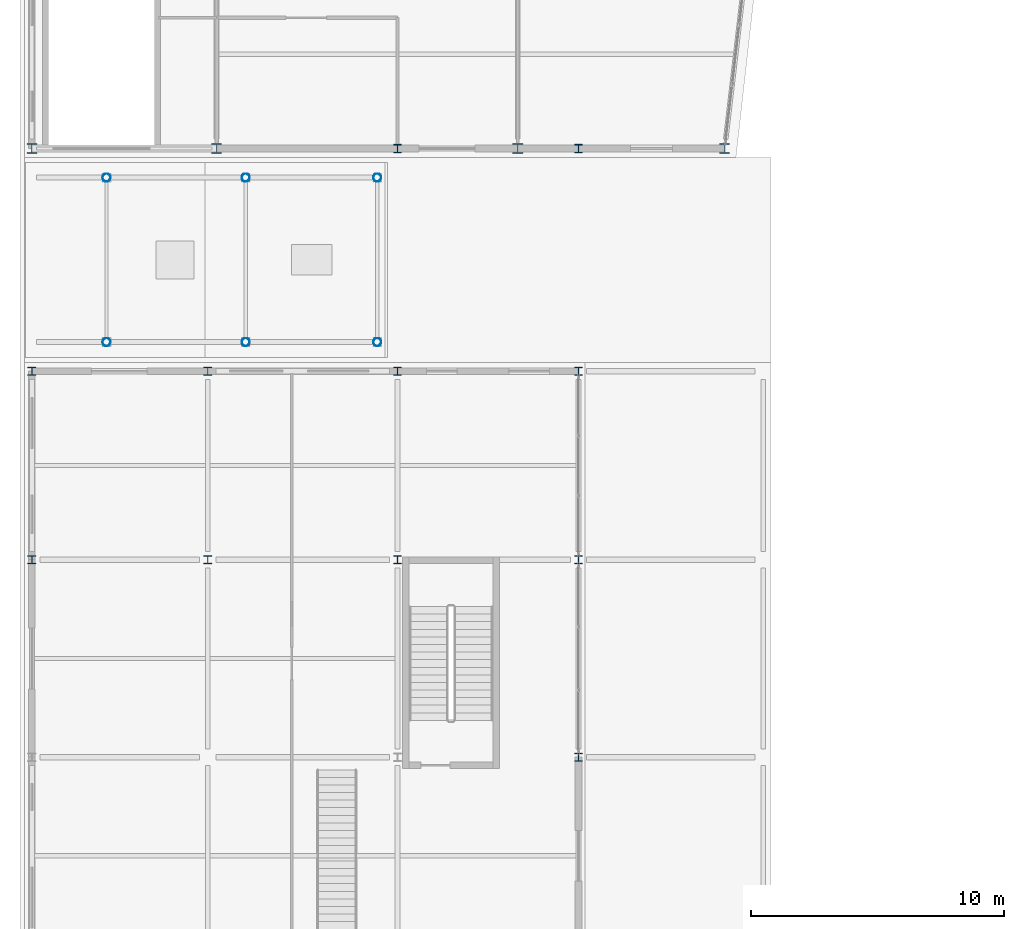
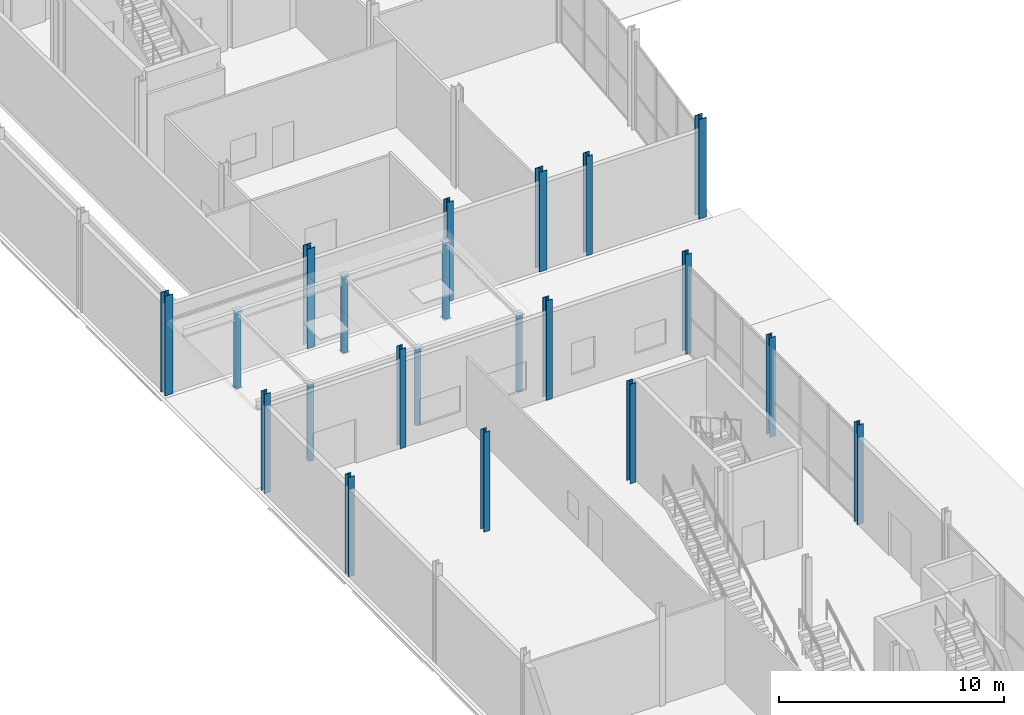
# One storey, part 2 of 83: 21 columns.
"""IFC4 building model written with IfcOpenShell, lengths in metres."""

from ifc_helpers import new_model, si_unit, direction, frame, origin, origin_2d, place, context, subcontext, project, spatial, hollow_circle, i_section, extrude, material, material_profile, profile_set, type_object, element, save


model = new_model("IFC4")

# Units and contexts
model_context = context("Model", 3, precision=1e-05, world=origin(), true_north=direction((0.0, 1.0)))
body_context = subcontext(model_context, "Body", "Model", "MODEL_VIEW")
ifc_project = project(units=[si_unit("LENGTHUNIT", "METRE"), si_unit("AREAUNIT", "SQUARE_METRE"), si_unit("VOLUMEUNIT", "CUBIC_METRE"), si_unit("PLANEANGLEUNIT", "RADIAN"), si_unit("MASSUNIT", "GRAM", prefix="KILO")], contexts=[model_context])

# Site, building, storey
site_placement = place(None, origin())
site = spatial("IfcSite", under=ifc_project, at=site_placement, CompositionType="ELEMENT")
building_placement = place(site_placement, origin())
building = spatial("IfcBuilding", under=site, at=building_placement, Name="Quillay Park Conservatory", CompositionType="ELEMENT")
storey_placement = place(building_placement, origin())
storey = spatial("IfcBuildingStorey", under=building, at=storey_placement, Name="L00", CompositionType="ELEMENT", Elevation=0.0)

# Columns
ifc_material_1 = material(Name="Steel S355J2H", Category="steel")
ifc_material_profile_1 = material_profile(ifc_material_1, hollow_circle(Radius=0.161865234375, WallThickness=0.012451171875, at=origin_2d()), Name="CHS323.9x12.5")
ifc_profile_set_1 = profile_set([ifc_material_profile_1], Name="Steel S355J2H")
column_type_1 = type_object("IfcColumnType", Name="COMPOSITE STEEL COLUMN CHS324", PredefinedType="COLUMN", material=ifc_profile_set_1)
for number, where, z_axis, x_axis, name in (
    (1, (3.5, 55.39990234375, 0.0), (0.0, 0.0, 1.0), (1.0, 0.0, 0.0), "L00 column COL-EC1-L00-0"),
    (2, (9.0, 55.39990234375, 0.0), (0.0, 0.0, 1.0), (1.0, 0.0, 0.0), "L00 column COL-EC1-L00-1"),
    (3, (14.199951171875, 55.39990234375, 0.0), (0.0, 0.0, 1.0), (1.0, 0.0, 0.0), "L00 column COL-EC1-L00-2"),
    (4, (3.5, 61.89990234375, 0.0), (0.0, 0.0, 1.0), (1.0, 0.0, 0.0), "L00 column COL-EC1-L00-3"),
    (5, (9.0, 61.89990234375, 0.0), (0.0, 0.0, 1.0), (1.0, 0.0, 0.0), "L00 column COL-EC1-L00-4"),
    (6, (14.199951171875, 61.89990234375, 0.0), (0.0, 0.0, 1.0), (1.0, 0.0, 0.0), "L00 column COL-EC1-L00-5"),
):
    element("IfcColumn", number, at=place(storey_placement, frame(where, z_axis=z_axis, x_axis=x_axis)), inside=storey, type_object=column_type_1, Name=name, PredefinedType="COLUMN", context=body_context, shape_type="SweptSolid", body=[
        extrude(hollow_circle(Radius=0.161865234375, WallThickness=0.012451171875, at=origin_2d()), origin(), (0.0, 0.0, 1.0), 4.139892578125),
    ])
ifc_material_2 = material(Name="Steel ASTM A992 Grade 50", Category="steel")
ifc_material_profile_2 = material_profile(ifc_material_2, i_section(OverallWidth=0.30908203125, OverallDepth=0.322998046875, WebThickness=0.013916015625, FlangeThickness=0.02294921875, FilletRadius=0.014892578125, at=origin_2d()), Name="W310x143")
ifc_profile_set_2 = profile_set([ifc_material_profile_2], Name="Steel ASTM A992 Grade 50")
column_type_2 = type_object("IfcColumnType", Name="COMPOSITE STEEL COLUMN W310 X143", PredefinedType="COLUMN", material=ifc_profile_set_2)
for number, where, z_axis, x_axis, name in (
    (7, (0.550048828125, 46.800048828125, 0.0), (0.0, 0.0, 1.0), (1.0, 0.0, 0.0), "L00 column COL-V3-L00-0-6"),
    (8, (0.550048828125, 54.25, 0.0), (0.0, 0.0, 1.0), (1.0, 0.0, 0.0), "L00 column COL-V3-L00-0-7"),
    (9, (7.5, 46.800048828125, 0.0), (0.0, 0.0, 1.0), (1.0, 0.0, 0.0), "L00 column COL-V3-L00-1-6"),
    (10, (7.5, 54.25, 0.0), (0.0, 0.0, 1.0), (1.0, 0.0, 0.0), "L00 column COL-V3-L00-1-7"),
    (11, (15.0, 46.800048828125, 0.0), (0.0, 0.0, 1.0), (1.0, 0.0, 0.0), "L00 column COL-V3-L00-2-6"),
    (12, (15.0, 54.25, 0.0), (0.0, 0.0, 1.0), (1.0, 0.0, 0.0), "L00 column COL-V3-L00-2-7"),
    (13, (22.14990234375, 39.0, 0.0), (0.0, 0.0, 1.0), (1.0, 0.0, 0.0), "L00 column COL-V3-L00-3-5"),
    (14, (22.14990234375, 46.800048828125, 0.0), (0.0, 0.0, 1.0), (1.0, 0.0, 0.0), "L00 column COL-V3-L00-3-6"),
    (15, (22.14990234375, 54.25, 0.0), (0.0, 0.0, 1.0), (1.0, 0.0, 0.0), "L00 column COL-V3-L00-3-7"),
    (16, (15.0, 63.050048828125, 0.0), (0.0, 0.0, 1.0), (1.0, 0.0, 0.0), "L00 column COL-LB1N-L00-0"),
    (17, (22.14990234375, 63.050048828125, 0.0), (0.0, 0.0, 1.0), (1.0, 0.0, 0.0), "L00 column COL-LB1N-L00-1"),
):
    element("IfcColumn", number, at=place(storey_placement, frame(where, z_axis=z_axis, x_axis=x_axis)), inside=storey, type_object=column_type_2, Name=name, PredefinedType="COLUMN", context=body_context, shape_type="SweptSolid", body=[
        extrude(i_section(OverallWidth=0.30908203125, OverallDepth=0.322998046875, WebThickness=0.013916015625, FlangeThickness=0.02294921875, FilletRadius=0.014892578125, at=origin_2d()), origin(), (0.0, 0.0, 1.0), 5.39990234375),
    ])
ifc_material_3 = material(Name="Steel ASTM A992 Grade 50", Category="steel")
ifc_material_profile_3 = material_profile(ifc_material_3, i_section(OverallWidth=0.39892578125, OverallDepth=0.39306640625, WebThickness=0.022705078125, FlangeThickness=0.0361328125, FilletRadius=0.014892578125, at=origin_2d()), Name="W360x287")
ifc_profile_set_3 = profile_set([ifc_material_profile_3], Name="Steel ASTM A992 Grade 50")
column_type_3 = type_object("IfcColumnType", Name="COMPOSITE STEEL COLUMN W360 X287", PredefinedType="COLUMN", material=ifc_profile_set_3)
for number, where, z_axis, x_axis, name in (
    (18, (0.550048828125, 63.050048828125, 0.0), (0.0, 0.0, 1.0), (1.0, 0.0, 0.0), "L00 column COL-V4-L00-0-0"),
    (19, (7.85009765625, 63.050048828125, 0.0), (0.0, 0.0, 1.0), (1.0, 0.0, 0.0), "L00 column COL-V4-L00-0-1"),
    (20, (19.75, 63.050048828125, 0.0), (0.0, 0.0, 1.0), (1.0, 0.0, 0.0), "L00 column COL-V4-L00-0-2"),
    (21, (27.925048828125, 63.050048828125, 0.0), (0.0, 0.0, 1.0), (1.0, 0.0, 0.0), "L00 column COL-V4-L00-0-3"),
):
    element("IfcColumn", number, at=place(storey_placement, frame(where, z_axis=z_axis, x_axis=x_axis)), inside=storey, type_object=column_type_3, Name=name, PredefinedType="COLUMN", context=body_context, shape_type="SweptSolid", body=[
        extrude(i_section(OverallWidth=0.39892578125, OverallDepth=0.39306640625, WebThickness=0.022705078125, FlangeThickness=0.0361328125, FilletRadius=0.014892578125, at=origin_2d()), origin(), (0.0, 0.0, 1.0), 5.39990234375),
    ])

save(model, "model.ifc")
